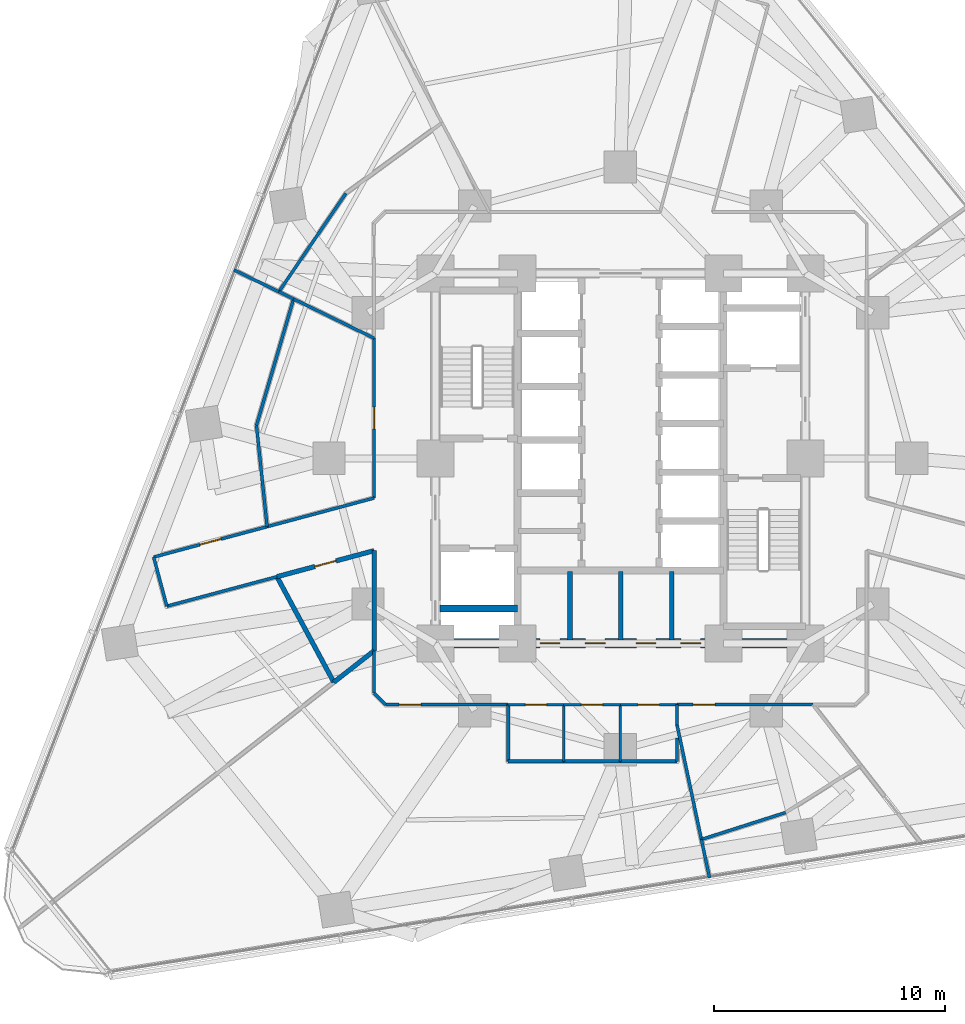
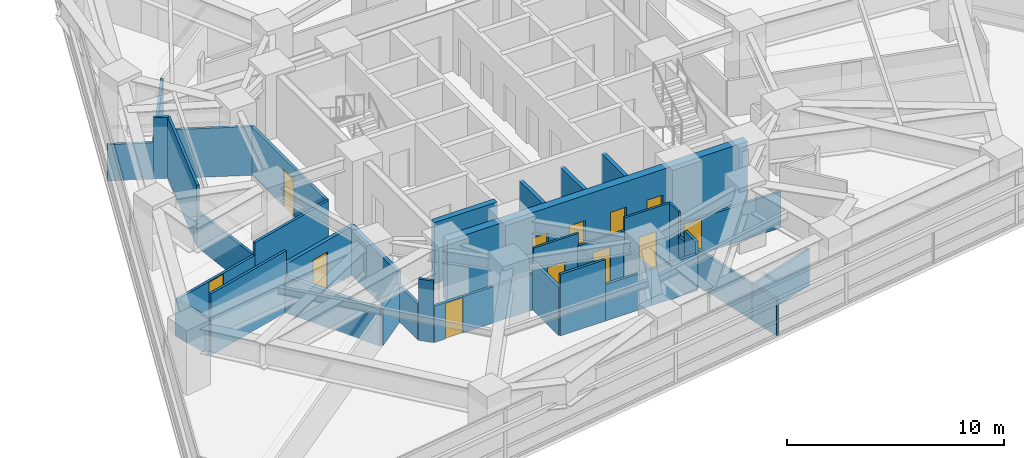
# One storey, part 7 of 13: 38 walls, 12 doors, 12 openings.
"""IFC4 building model written with IfcOpenShell, lengths in metres."""

import ifcopenshell
import ifcopenshell.guid

model = None  # the IFC model being written
_history = None  # IfcOwnerHistory: only IFC2X3 demands one
_inside = {}  # id of a spatial element -> (the spatial element, [elements in it])
_under = {}  # id of a project, library or spatial element -> (it, [spatial elements below it])
_declared = {}  # id of a project -> (the project, [libraries it declares])
_typed = {}  # id of a type object -> (the type object, [elements of that type])
_made_of = {}  # id of a material, layer set ... -> (it, [elements and type objects made of it])


def new_model(schema):
    """Start an empty IFC model of exactly this schema.

    Asked for "IFC4X3", IfcOpenShell would pick the latest addendum, in which some entities
    have other attributes; the version numbers below select the first issue.
    IFC2X3 requires an IfcOwnerHistory on every rooted entity: one is made here for all.
    """
    global model, _history
    if schema == "IFC4X3":
        model = ifcopenshell.file(schema_version=(4, 3, 0, 0))
    else:
        model = ifcopenshell.file(schema=schema)
    _inside.clear()
    _under.clear()
    _declared.clear()
    _typed.clear()
    _made_of.clear()
    _history = None
    if model.schema == "IFC2X3":
        org = make("IfcOrganization", Name="unknown")
        user = make(
            "IfcPersonAndOrganization",
            ThePerson=make("IfcPerson", FamilyName="unknown"),
            TheOrganization=org,
        )
        app = make(
            "IfcApplication",
            ApplicationDeveloper=org,
            Version="unknown",
            ApplicationFullName="unknown",
            ApplicationIdentifier="unknown",
        )
        _history = make(
            "IfcOwnerHistory",
            OwningUser=user,
            OwningApplication=app,
            ChangeAction="ADDED",
            CreationDate=0,
        )
    return model


def make(cls, **values):
    """One entity of the class cls with the attributes given. An attribute that is None is left unset."""
    return model.create_entity(
        cls, **{name: value for name, value in values.items() if value is not None}
    )


def rooted(cls, **values):
    """An entity with a GlobalId (a new one), such as an element, a storey or a relation."""
    return make(cls, GlobalId=ifcopenshell.guid.new(), OwnerHistory=_history, **values)


def si_unit(unit_type, name, prefix=None):
    """IfcSIUnit, for example si_unit("LENGTHUNIT", "METRE", prefix="MILLI")."""
    return make("IfcSIUnit", UnitType=unit_type, Prefix=prefix, Name=name)


def assignment(units):
    """IfcUnitAssignment: the units of a project."""
    return None if units is None else make("IfcUnitAssignment", Units=units)


def point(xyz):
    """IfcCartesianPoint."""
    return None if xyz is None else make("IfcCartesianPoint", Coordinates=xyz)


def direction(xyz):
    """IfcDirection."""
    return None if xyz is None else make("IfcDirection", DirectionRatios=xyz)


def frame(location, z_axis=None, x_axis=None):
    """IfcAxis2Placement3D, a coordinate frame: its origin and axes. An axis left out is left unset."""
    return make(
        "IfcAxis2Placement3D",
        Location=point(location),
        Axis=direction(z_axis),
        RefDirection=direction(x_axis),
    )


def frame_2d(location, x_axis=None):
    """IfcAxis2Placement2D, a coordinate frame in the plane: its origin and x axis."""
    return make(
        "IfcAxis2Placement2D", Location=point(location), RefDirection=direction(x_axis)
    )


def origin():
    """The frame at (0, 0, 0) with its axes left unset."""
    return frame((0.0, 0.0, 0.0))


def place(relative_to, where):
    """IfcLocalPlacement: puts the frame where relative to a parent placement (None: the world)."""
    return make(
        "IfcLocalPlacement", PlacementRelTo=relative_to, RelativePlacement=where
    )


def context(
    kind, dimensions, precision=None, world=None, true_north=None, identifier=None
):
    """IfcGeometricRepresentationContext, for example the 3D "Model" context."""
    return make(
        "IfcGeometricRepresentationContext",
        ContextIdentifier=identifier,
        ContextType=kind,
        CoordinateSpaceDimension=dimensions,
        Precision=precision,
        WorldCoordinateSystem=world,
        TrueNorth=true_north,
    )


def subcontext(parent, identifier, kind, view, scale=None):
    """IfcGeometricRepresentationSubContext, for example "Body" below "Model"."""
    return make(
        "IfcGeometricRepresentationSubContext",
        ContextIdentifier=identifier,
        ContextType=kind,
        ParentContext=parent,
        TargetScale=scale,
        TargetView=view,
    )


def project(units=None, contexts=None):
    """IfcProject with its units and contexts."""
    return rooted(
        "IfcProject",
        Name="project",
        RepresentationContexts=contexts,
        UnitsInContext=assignment(units),
    )


def spatial(cls, under=None, at=None, **own):
    """A site, building, storey or space (cls), placed at a placement, below another one or the project."""
    s = rooted(cls, ObjectPlacement=at, **own)
    if under is not None:
        _under.setdefault(under.id(), (under, []))[1].append(s)
    return s


def profile(cls, at=None, kind="AREA", **sizes):
    """A parametric profile (cls). Its sizes go by their IFC names, for example OverallWidth=200.0."""
    return make(cls, ProfileType=kind, Position=at, **sizes)


def rectangle(**sizes):
    """IfcRectangleProfileDef."""
    return profile("IfcRectangleProfileDef", **sizes)


def extrude(swept, where, along, depth):
    """IfcExtrudedAreaSolid: the profile swept, set in the frame where, extruded along a direction by depth."""
    return make(
        "IfcExtrudedAreaSolid",
        SweptArea=swept,
        Position=where,
        ExtrudedDirection=direction(along),
        Depth=depth,
    )


def shape(context_of_items, identifier, shape_type, items):
    """IfcShapeRepresentation: the items that make up one representation, for example the "Body"."""
    return make(
        "IfcShapeRepresentation",
        ContextOfItems=context_of_items,
        RepresentationIdentifier=identifier,
        RepresentationType=shape_type,
        Items=items,
    )


def material(Name=None, Category=None):
    """IfcMaterial."""
    return make("IfcMaterial", Name=Name, Category=Category)


def layer(
    of_material, thickness, ventilated=None, Name=None, Category=None, Priority=None
):
    """IfcMaterialLayer: one layer of a wall or slab, of a material (None: an air gap)."""
    return make(
        "IfcMaterialLayer",
        Material=of_material,
        LayerThickness=thickness,
        IsVentilated=ventilated,
        Name=Name,
        Category=Category,
        Priority=Priority,
    )


def layer_set(layers, Name=None):
    """IfcMaterialLayerSet."""
    return make("IfcMaterialLayerSet", MaterialLayers=layers, LayerSetName=Name)


def made_of(thing, what):
    """Note that an element or type object is made of a material, layer set ...; save() writes the relation."""
    if what is not None:
        _made_of.setdefault(what.id(), (what, []))[1].append(thing)
    return thing


def type_object(cls, material=None, **own):
    """A type object (cls), such as IfcWallType, which elements share."""
    return made_of(rooted(cls, **own), material)


def element(
    cls,
    number,
    at=None,
    inside=None,
    cuts=None,
    type_object=None,
    material=None,
    context=None,
    identifier="Body",
    shape_type=None,
    held_by="IfcProductDefinitionShape",
    body=None,
    shapes=None,
    **own,
):
    """One element of the class cls, such as IfcWall. Its Tag is "e" and its number.

    at: its placement. inside: the storey or other place that contains it. cuts: it is an
    opening in that element (IfcRelVoidsElement). A single representation is given by context,
    identifier, shape_type and body (its items); several are given by shapes. held_by: the class
    of the entity that holds the representations. save() writes the other relations.
    """
    e = rooted(cls, Tag="e%d" % number, ObjectPlacement=at, **own)
    if body is not None:
        shapes = [shape(context, identifier, shape_type, body)]
    if shapes is not None:
        e.Representation = make(held_by, Representations=shapes)
    if inside is not None:
        _inside.setdefault(inside.id(), (inside, []))[1].append(e)
    if cuts is not None:
        rooted(
            "IfcRelVoidsElement", RelatingBuildingElement=cuts, RelatedOpeningElement=e
        )
    if type_object is not None:
        _typed.setdefault(type_object.id(), (type_object, []))[1].append(e)
    return made_of(e, material)


def fill(opening, filler):
    """IfcRelFillsElement: the door or window that sits in an opening."""
    return rooted(
        "IfcRelFillsElement",
        RelatingOpeningElement=opening,
        RelatedBuildingElement=filler,
    )


def aggregate(whole, parts):
    """IfcRelAggregates: a whole, such as a stair, and the parts it consists of."""
    return rooted("IfcRelAggregates", RelatingObject=whole, RelatedObjects=parts)


def save(model, path):
    """Write the relations noted so far, then the file.

    IfcRelAggregates (storeys below a building ...), IfcRelContainedInSpatialStructure (elements
    in a storey), IfcRelDefinesByType, IfcRelAssociatesMaterial and IfcRelDeclares: one each for
    every whole, place, type object, material and project.
    """
    for whole, parts in _under.values():
        aggregate(whole, parts)
    for where, things in _inside.values():
        rooted(
            "IfcRelContainedInSpatialStructure",
            RelatedElements=things,
            RelatingStructure=where,
        )
    for kind, things in _typed.values():
        rooted("IfcRelDefinesByType", RelatedObjects=things, RelatingType=kind)
    for what, things in _made_of.values():
        rooted("IfcRelAssociatesMaterial", RelatedObjects=things, RelatingMaterial=what)
    for by, libraries in _declared.values():
        rooted("IfcRelDeclares", RelatingContext=by, RelatedDefinitions=libraries)
    model.write(path)


model = new_model("IFC4")

# Units and contexts
model_context = context("Model", 3, precision=1e-05, world=origin(), true_north=direction((0.0, 1.0)))
body_context = subcontext(model_context, "Body", "Model", "MODEL_VIEW")
ifc_project = project(units=[si_unit("LENGTHUNIT", "METRE"), si_unit("AREAUNIT", "SQUARE_METRE"), si_unit("VOLUMEUNIT", "CUBIC_METRE"), si_unit("PLANEANGLEUNIT", "RADIAN"), si_unit("MASSUNIT", "GRAM", prefix="KILO")], contexts=[model_context])

# Site, building, storey
site_placement = place(None, origin())
site = spatial("IfcSite", under=ifc_project, at=site_placement, CompositionType="ELEMENT")
building_placement = place(site_placement, origin())
building = spatial("IfcBuilding", under=site, at=building_placement, Name="Terralouvre Media Tower", CompositionType="ELEMENT")
storey_placement = place(building_placement, frame((0.0, 0.0, 81.5)))
storey = spatial("IfcBuildingStorey", under=building, at=storey_placement, Name="L20", CompositionType="ELEMENT", Elevation=81.5)

# Wall
ifc_material_1 = material(Name="Concrete C50/60", Category="concrete")
ifc_layer_1 = layer(ifc_material_1, 0.300048828125, Name="Core Internal Shaft Wall CW-300")
ifc_layer_set_1 = layer_set([ifc_layer_1], Name="Concrete C50/60")
wall_type_1 = type_object("IfcWallType", Name="Core Internal Shaft Wall CW-300", PredefinedType="SHEAR", material=ifc_layer_set_1)
wall_1_placement = place(storey_placement, frame((-7.7900390625, -6.5, 0.0), z_axis=(0.0, 0.0, 1.0), x_axis=(1.0, 0.0, 0.0)))
element("IfcWall", 1, at=wall_1_placement, inside=storey, type_object=wall_type_1, Name="L20 Core Shaft Wall FF1S", PredefinedType="SHEAR", context=body_context, shape_type="SweptSolid", body=[
    extrude(rectangle(XDim=3.340087890625, YDim=0.300048828125, at=frame_2d((1.669921875, 0.0))), origin(), (0.0, 0.0, 1.0), 3.4599609375),
])

# Wall, openings, doors
ifc_material_2 = material(Name="Concrete C60/75", Category="concrete")
ifc_layer_2 = layer(ifc_material_2, 0.419921875, Name="Core Reinforced Concrete Shear Wall CW-420")
ifc_layer_set_2 = layer_set([ifc_layer_2], Name="Concrete C60/75")
wall_type_2 = type_object("IfcWallType", Name="Core Reinforced Concrete Shear Wall CW-420", PredefinedType="SHEAR", material=ifc_layer_set_2)
wall_2_placement = place(storey_placement, frame((-8.0, -8.0, 0.0), z_axis=(0.0, 0.0, 1.0), x_axis=(1.0, 0.0, 0.0)))
wall_2 = element("IfcWall", 2, at=wall_2_placement, inside=storey, type_object=wall_type_2, Name="L20 S Core Shear Wall", PredefinedType="SHEAR", context=body_context, shape_type="SweptSolid", body=[
    extrude(rectangle(XDim=16.0, YDim=0.419921875, at=frame_2d((8.0, 0.0))), origin(), (0.0, 0.0, 1.0), 3.4599609375),
])
opening_1_placement = place(wall_2_placement, frame((4.52880859375, 0.0, 0.0)))
opening_1 = element("IfcOpeningElement", 3, at=opening_1_placement, cuts=wall_2, Name="Opening TD-R1", PredefinedType="OPENING", context=body_context, shape_type="SweptSolid", body=[
    extrude(rectangle(XDim=0.85009765625, YDim=2.02001953125, at=frame_2d((0.425048828125, 1.010009765625))), frame((0.0, 0.219970703125, 0.0), z_axis=(0.0, -1.0, 0.0), x_axis=(1.0, 0.0, 0.0)), (0.0, 0.0, 1.0), 0.43994140625),
])
opening_2_placement = place(wall_2_placement, frame((6.489990234375, 0.0, 0.0)))
opening_2 = element("IfcOpeningElement", 4, at=opening_2_placement, cuts=wall_2, Name="Opening TD-R1", PredefinedType="OPENING", context=body_context, shape_type="SweptSolid", body=[
    extrude(rectangle(XDim=0.85009765625, YDim=2.02001953125, at=frame_2d((0.425048828125, 1.010009765625))), frame((0.0, 0.219970703125, 0.0), z_axis=(0.0, -1.0, 0.0), x_axis=(1.0, 0.0, 0.0)), (0.0, 0.0, 1.0), 0.43994140625),
])
opening_3_placement = place(wall_2_placement, frame((8.68994140625, 0.0, 0.0)))
opening_3 = element("IfcOpeningElement", 5, at=opening_3_placement, cuts=wall_2, Name="Opening TD-R1", PredefinedType="OPENING", context=body_context, shape_type="SweptSolid", body=[
    extrude(rectangle(XDim=0.85009765625, YDim=2.02001953125, at=frame_2d((0.425048828125, 1.010009765625))), frame((0.0, 0.219970703125, 0.0), z_axis=(0.0, -1.0, 0.0), x_axis=(1.0, 0.0, 0.0)), (0.0, 0.0, 1.0), 0.43994140625),
])
opening_4_placement = place(wall_2_placement, frame((10.62109375, 0.0, 0.0)))
opening_4 = element("IfcOpeningElement", 6, at=opening_4_placement, cuts=wall_2, Name="Opening TD-R1", PredefinedType="OPENING", context=body_context, shape_type="SweptSolid", body=[
    extrude(rectangle(XDim=0.85009765625, YDim=2.02001953125, at=frame_2d((0.425048828125, 1.010009765625))), frame((0.0, 0.219970703125, 0.0), z_axis=(0.0, -1.0, 0.0), x_axis=(1.0, 0.0, 0.0)), (0.0, 0.0, 1.0), 0.43994140625),
])
ifc_material_3 = material(Name="Galvanised steel fire-resisting leaf", Category="steel")
door_type_1 = type_object("IfcDoorType", Name="Riser Inspection Access Trapdoor TD-R1", OperationType="NOTDEFINED", PredefinedType="TRAPDOOR", material=ifc_material_3)
door_1_placement = place(opening_1_placement, origin())
door_1 = element("IfcDoor", 7, at=door_1_placement, inside=storey, type_object=door_type_1, Name="L20 Core Battery Plant Door", OperationType="SINGLE_SWING_LEFT", OverallHeight=2.02001953125, OverallWidth=0.85009765625, PredefinedType="TRAPDOOR", context=body_context, shape_type="SweptSolid", body=[
    extrude(rectangle(XDim=0.85009765625, YDim=2.02001953125, at=frame_2d((0.425048828125, 1.010009765625))), frame((0.0, 0.02490234375, 0.0), z_axis=(0.0, -1.0, 0.0), x_axis=(1.0, 0.0, 0.0)), (0.0, 0.0, 1.0), 0.050048828125),
])
fill(opening_1, door_1)
door_2_placement = place(opening_2_placement, origin())
door_2 = element("IfcDoor", 8, at=door_2_placement, inside=storey, type_object=door_type_1, Name="L20 Core IT Patch Plant Door", OperationType="SINGLE_SWING_RIGHT", OverallHeight=2.02001953125, OverallWidth=0.85009765625, PredefinedType="TRAPDOOR", context=body_context, shape_type="SweptSolid", body=[
    extrude(rectangle(XDim=0.85009765625, YDim=2.02001953125, at=frame_2d((0.425048828125, 1.010009765625))), frame((0.0, 0.02490234375, 0.0), z_axis=(0.0, -1.0, 0.0), x_axis=(1.0, 0.0, 0.0)), (0.0, 0.0, 1.0), 0.050048828125),
])
fill(opening_2, door_2)
door_3_placement = place(opening_3_placement, origin())
door_3 = element("IfcDoor", 9, at=door_3_placement, inside=storey, type_object=door_type_1, Name="L20 Core Housekeeping Store Door", OperationType="SINGLE_SWING_LEFT", OverallHeight=2.02001953125, OverallWidth=0.85009765625, PredefinedType="TRAPDOOR", context=body_context, shape_type="SweptSolid", body=[
    extrude(rectangle(XDim=0.85009765625, YDim=2.02001953125, at=frame_2d((0.425048828125, 1.010009765625))), frame((0.0, 0.02490234375, 0.0), z_axis=(0.0, -1.0, 0.0), x_axis=(1.0, 0.0, 0.0)), (0.0, 0.0, 1.0), 0.050048828125),
])
fill(opening_3, door_3)
door_4_placement = place(opening_4_placement, origin())
door_4 = element("IfcDoor", 10, at=door_4_placement, inside=storey, type_object=door_type_1, Name="L20 Core Smoke Damper Plant Door", OperationType="SINGLE_SWING_RIGHT", OverallHeight=2.02001953125, OverallWidth=0.85009765625, PredefinedType="TRAPDOOR", context=body_context, shape_type="SweptSolid", body=[
    extrude(rectangle(XDim=0.85009765625, YDim=2.02001953125, at=frame_2d((0.425048828125, 1.010009765625))), frame((0.0, 0.02490234375, 0.0), z_axis=(0.0, -1.0, 0.0), x_axis=(1.0, 0.0, 0.0)), (0.0, 0.0, 1.0), 0.050048828125),
])
fill(opening_4, door_4)

# Walls
ifc_material_4 = material(Name="Fire-rated gypsum board drywall partition")
ifc_layer_3 = layer(ifc_material_4, 0.199951171875, Name="Fire-Rated Shaft and Lobby Partition FW-200")
ifc_layer_set_3 = layer_set([ifc_layer_3], Name="Fire-rated gypsum board drywall partition")
wall_type_3 = type_object("IfcWallType", Name="Fire-Rated Shaft and Lobby Partition FW-200", PredefinedType="SOLIDWALL", material=ifc_layer_set_3)
for number, where, z_axis, x_axis, name in (
    (11, (-2.179931640625, -7.85009765625, 0.0), (0.0, 0.0, 1.0), (0.0, 1.0, 0.0), "L20 Core Service Bay Partition 1"),
    (12, (0.02001953125, -7.85009765625, 0.0), (0.0, 0.0, 1.0), (0.0, 1.0, 0.0), "L20 Core Service Bay Partition 2"),
    (13, (2.219970703125, -7.85009765625, 0.0), (0.0, 0.0, 1.0), (0.0, 1.0, 0.0), "L20 Core Service Bay Partition 3"),
):
    element("IfcWall", number, at=place(storey_placement, frame(where, z_axis=z_axis, x_axis=x_axis)), inside=storey, type_object=wall_type_3, Name=name, PredefinedType="SOLIDWALL", context=body_context, shape_type="SweptSolid", body=[
        extrude(rectangle(XDim=2.9501953125, YDim=0.199951171875, at=frame_2d((1.47509765625, 0.0))), origin(), (0.0, 0.0, 1.0), 2.844970703125),
    ])

# Wall, opening, door
wall_3_placement = place(storey_placement, frame((-14.85107421875, -5.117919921875, 0.0), z_axis=(0.0, 0.0, 1.0), x_axis=(0.965909963178, 0.258878239783, 0.0)))
wall_3 = element("IfcWall", 14, at=wall_3_placement, inside=storey, type_object=wall_type_3, Name="L20 Interior Partition 015", PredefinedType="SOLIDWALL", context=body_context, shape_type="SweptSolid", body=[
    extrude(rectangle(XDim=4.349365234375, YDim=0.199951171875, at=frame_2d((2.1748046875, 0.0))), origin(), (0.0, 0.0, 1.0), 2.7451171875),
])
opening_5_placement = place(wall_3_placement, frame((1.69970703125, 0.0, 0.0)))
opening_5 = element("IfcOpeningElement", 15, at=opening_5_placement, cuts=wall_3, Name="Opening FD-02-95X210", PredefinedType="OPENING", context=body_context, shape_type="SweptSolid", body=[
    extrude(rectangle(XDim=0.949951171875, YDim=2.10009765625, at=frame_2d((0.47509765625, 1.050048828125))), frame((0.0, 0.10986328125, 0.0), z_axis=(0.0, -1.0, 0.0), x_axis=(1.0, 0.0, 0.0)), (0.0, 0.0, 1.0), 0.219970703125),
])
ifc_material_5 = material(Name="Galvanised steel fire-resisting leaf", Category="steel")
door_type_2 = type_object("IfcDoorType", Name="Plant and Riser Fire Door FD-02 (950x2100)", OperationType="NOTDEFINED", PredefinedType="DOOR", material=ifc_material_5)
door_5_placement = place(opening_5_placement, origin())
door_5 = element("IfcDoor", 16, at=door_5_placement, inside=storey, type_object=door_type_2, Name="L20 Satellite Downlink Server Room 3 Door", OperationType="SINGLE_SWING_RIGHT", OverallHeight=2.10009765625, OverallWidth=0.949951171875, PredefinedType="DOOR", context=body_context, shape_type="SweptSolid", body=[
    extrude(rectangle(XDim=0.949951171875, YDim=2.10009765625, at=frame_2d((0.47509765625, 1.050048828125))), frame((0.0, 0.02490234375, 0.0), z_axis=(0.0, -1.0, 0.0), x_axis=(1.0, 0.0, 0.0)), (0.0, 0.0, 1.0), 0.050048828125),
])
fill(opening_5, door_5)

# Walls
wall_4_placement = place(storey_placement, frame((-10.64990234375, -3.991943359375, 0.0), z_axis=(0.0, 0.0, 1.0), x_axis=(0.0, -1.0, 0.0)))
element("IfcWall", 17, at=wall_4_placement, inside=storey, type_object=wall_type_3, Name="L20 Interior Partition 016", PredefinedType="SOLIDWALL", context=body_context, shape_type="SweptSolid", body=[
    extrude(rectangle(XDim=4.3291015625, YDim=0.199951171875, at=frame_2d((2.16455078125, 0.0))), origin(), (0.0, 0.0, 1.0), 2.7451171875),
])
wall_5_placement = place(storey_placement, frame((-14.85107421875, -5.117919921875, 0.0), z_axis=(0.0, 0.0, 1.0), x_axis=(0.474543506137, -0.880232049395, 0.0)))
element("IfcWall", 18, at=wall_5_placement, inside=storey, type_object=wall_type_3, Name="L20 Interior Partition 037", PredefinedType="SOLIDWALL", context=body_context, shape_type="SweptSolid", body=[
    extrude(rectangle(XDim=5.183837890625, YDim=0.199951171875, at=frame_2d((2.591796875, 0.0))), origin(), (0.0, 0.0, 1.0), 2.044921875),
])
wall_6_placement = place(storey_placement, frame((-12.39111328125, -9.680908203125, 0.0), z_axis=(0.0, 0.0, 1.0), x_axis=(0.788124883644, 0.615515367624, 0.0)))
element("IfcWall", 19, at=wall_6_placement, inside=storey, type_object=wall_type_3, Name="L20 Interior Partition 038", PredefinedType="SOLIDWALL", context=body_context, shape_type="SweptSolid", body=[
    extrude(rectangle(XDim=2.209228515625, YDim=0.199951171875, at=frame_2d((1.1044921875, 0.0))), origin(), (0.0, 0.0, 1.0), 2.044921875),
])

# Wall, opening, door
ifc_material_6 = material(Name="Fire-rated gypsum board drywall partition")
ifc_layer_4 = layer(ifc_material_6, 0.135009765625, Name="Newsroom Acoustic Partition PT-135")
ifc_layer_set_4 = layer_set([ifc_layer_4], Name="Fire-rated gypsum board drywall partition")
wall_type_4 = type_object("IfcWallType", Name="Newsroom Acoustic Partition PT-135", PredefinedType="PARTITIONING", material=ifc_layer_set_4)
wall_7_placement = place(storey_placement, frame((-15.27587890625, -2.9541015625, 0.0), z_axis=(0.0, 0.0, 1.0), x_axis=(-0.965923168362, -0.258828964418, 0.0)))
wall_7 = element("IfcWall", 20, at=wall_7_placement, inside=storey, type_object=wall_type_4, Name="L20 Interior Partition 017", PredefinedType="PARTITIONING", context=body_context, shape_type="SweptSolid", body=[
    extrude(rectangle(XDim=5.080322265625, YDim=0.135009765625, at=frame_2d((2.5400390625, 0.0))), origin(), (0.0, 0.0, 1.0), 2.044921875),
])
opening_6_placement = place(wall_7_placement, frame((2.065185546875, 0.0, 0.0)))
opening_6 = element("IfcOpeningElement", 21, at=opening_6_placement, cuts=wall_7, Name="Opening ID-02", PredefinedType="OPENING", context=body_context, shape_type="SweptSolid", body=[
    extrude(rectangle(XDim=0.949951171875, YDim=2.0, at=frame_2d((0.47509765625, 1.0))), frame((0.0, 0.077392578125, 0.0), z_axis=(0.0, -1.0, 0.0), x_axis=(1.0, 0.0, 0.0)), (0.0, 0.0, 1.0), 0.155029296875),
])
ifc_material_7 = material(Name="Engineered hardwood acoustic timber leaf", Category="wood")
door_type_3 = type_object("IfcDoorType", Name="Office and Meeting Room Door ID-02", OperationType="NOTDEFINED", PredefinedType="DOOR", material=ifc_material_7)
door_6_placement = place(opening_6_placement, origin())
door_6 = element("IfcDoor", 22, at=door_6_placement, inside=storey, type_object=door_type_3, Name="L20 Treaty Reference Library 4 Door", OperationType="SINGLE_SWING_LEFT", OverallHeight=2.0, OverallWidth=0.949951171875, PredefinedType="DOOR", context=body_context, shape_type="SweptSolid", body=[
    extrude(rectangle(XDim=0.949951171875, YDim=2.0, at=frame_2d((0.47509765625, 1.0))), frame((0.0, 0.02490234375, 0.0), z_axis=(0.0, -1.0, 0.0), x_axis=(1.0, 0.0, 0.0)), (0.0, 0.0, 1.0), 0.050048828125),
])
fill(opening_6, door_6)

# Walls
wall_8_placement = place(storey_placement, frame((-20.18310546875, -4.26904296875, 0.0), z_axis=(0.0, 0.0, 1.0), x_axis=(0.259105843213, -0.965848933329, 0.0)))
element("IfcWall", 23, at=wall_8_placement, inside=storey, type_object=wall_type_4, Name="L20 Interior Partition 018", PredefinedType="PARTITIONING", context=body_context, shape_type="SweptSolid", body=[
    extrude(rectangle(XDim=2.2001953125, YDim=0.135009765625, at=frame_2d((1.10009765625, 0.0))), origin(), (0.0, 0.0, 1.0), 2.044921875),
])
wall_9_placement = place(storey_placement, frame((-19.613037109375, -6.39404296875, 0.0), z_axis=(0.0, 0.0, 1.0), x_axis=(0.965917766169, 0.258849124007, 0.0)))
element("IfcWall", 24, at=wall_9_placement, inside=storey, type_object=wall_type_4, Name="L20 Interior Partition 019", PredefinedType="PARTITIONING", context=body_context, shape_type="SweptSolid", body=[
    extrude(rectangle(XDim=4.929931640625, YDim=0.135009765625, at=frame_2d((2.46484375, 0.0))), origin(), (0.0, 0.0, 1.0), 3.4599609375),
])

# Wall, opening, door
wall_10_placement = place(storey_placement, frame((-10.64990234375, 5.194091796875, 0.0), z_axis=(0.0, 0.0, 1.0), x_axis=(0.0, -1.0, 0.0)))
wall_10 = element("IfcWall", 25, at=wall_10_placement, inside=storey, type_object=wall_type_4, Name="L20 Interior Partition 020", PredefinedType="PARTITIONING", context=body_context, shape_type="SweptSolid", body=[
    extrude(rectangle(XDim=6.9091796875, YDim=0.135009765625, at=frame_2d((3.45458984375, 0.0))), origin(), (0.0, 0.0, 1.0), 2.7451171875),
])
opening_7_placement = place(wall_10_placement, frame((2.9794921875, 0.0, 0.0)))
opening_7 = element("IfcOpeningElement", 26, at=opening_7_placement, cuts=wall_10, Name="Opening ID-02-95X210", PredefinedType="OPENING", context=body_context, shape_type="SweptSolid", body=[
    extrude(rectangle(XDim=0.949951171875, YDim=2.10009765625, at=frame_2d((0.47509765625, 1.050048828125))), frame((0.0, 0.077392578125, 0.0), z_axis=(0.0, -1.0, 0.0), x_axis=(1.0, 0.0, 0.0)), (0.0, 0.0, 1.0), 0.155029296875),
])
ifc_material_8 = material(Name="Engineered hardwood acoustic timber leaf", Category="wood")
door_type_4 = type_object("IfcDoorType", Name="Office and Meeting Room Door ID-02 (950x2100)", OperationType="NOTDEFINED", PredefinedType="DOOR", material=ifc_material_8)
door_7_placement = place(opening_7_placement, origin())
door_7 = element("IfcDoor", 27, at=door_7_placement, inside=storey, type_object=door_type_4, Name="L20 Editorial Collaborative Open Office 5 Door", OperationType="SINGLE_SWING_RIGHT", OverallHeight=2.10009765625, OverallWidth=0.949951171875, PredefinedType="DOOR", context=body_context, shape_type="SweptSolid", body=[
    extrude(rectangle(XDim=0.949951171875, YDim=2.10009765625, at=frame_2d((0.47509765625, 1.050048828125))), frame((0.0, 0.02490234375, 0.0), z_axis=(0.0, -1.0, 0.0), x_axis=(1.0, 0.0, 0.0)), (0.0, 0.0, 1.0), 0.050048828125),
])
fill(opening_7, door_7)

# Walls
wall_11_placement = place(storey_placement, frame((-10.64990234375, -1.715087890625, 0.0), z_axis=(0.0, 0.0, 1.0), x_axis=(-0.965952601708, -0.258719097196, 0.0)))
element("IfcWall", 28, at=wall_11_placement, inside=storey, type_object=wall_type_4, Name="L20 Interior Partition 021", PredefinedType="PARTITIONING", context=body_context, shape_type="SweptSolid", body=[
    extrude(rectangle(XDim=4.7890625, YDim=0.135009765625, at=frame_2d((2.39453125, 0.0))), origin(), (0.0, 0.0, 1.0), 2.7451171875),
])
wall_12_placement = place(storey_placement, frame((-10.64990234375, -8.321044921875, 0.0), z_axis=(0.0, 0.0, 1.0), x_axis=(0.0, -1.0, 0.0)))
element("IfcWall", 29, at=wall_12_placement, inside=storey, type_object=wall_type_4, Name="L20 Interior Partition 022", PredefinedType="PARTITIONING", context=body_context, shape_type="SweptSolid", body=[
    extrude(rectangle(XDim=1.828857421875, YDim=0.135009765625, at=frame_2d((0.91455078125, 0.0))), origin(), (0.0, 0.0, 1.0), 2.044921875),
])
wall_13_placement = place(storey_placement, frame((-10.64990234375, -10.14990234375, 0.0), z_axis=(0.0, 0.0, 1.0), x_axis=(0.707106781187, -0.707106781187, 0.0)))
element("IfcWall", 30, at=wall_13_placement, inside=storey, type_object=wall_type_4, Name="L20 Interior Partition 023", PredefinedType="PARTITIONING", context=body_context, shape_type="SweptSolid", body=[
    extrude(rectangle(XDim=0.70703125, YDim=0.135009765625, at=frame_2d((0.353515625, 0.0))), origin(), (0.0, 0.0, 1.0), 3.4599609375),
])

# Wall, opening, door
wall_14_placement = place(storey_placement, frame((-10.14990234375, -10.64990234375, 0.0), z_axis=(0.0, 0.0, 1.0), x_axis=(1.0, 0.0, 0.0)))
wall_14 = element("IfcWall", 31, at=wall_14_placement, inside=storey, type_object=wall_type_4, Name="L20 Interior Partition 024", PredefinedType="PARTITIONING", context=body_context, shape_type="SweptSolid", body=[
    extrude(rectangle(XDim=5.2998046875, YDim=0.135009765625, at=frame_2d((2.64990234375, 0.0))), origin(), (0.0, 0.0, 1.0), 2.044921875),
])
opening_8_placement = place(wall_14_placement, frame((0.5849609375, 0.0, 0.0)))
opening_8 = element("IfcOpeningElement", 32, at=opening_8_placement, cuts=wall_14, Name="Opening ID-02", PredefinedType="OPENING", context=body_context, shape_type="SweptSolid", body=[
    extrude(rectangle(XDim=0.949951171875, YDim=2.0, at=frame_2d((0.47509765625, 1.0))), frame((0.0, 0.077392578125, 0.0), z_axis=(0.0, -1.0, 0.0), x_axis=(1.0, 0.0, 0.0)), (0.0, 0.0, 1.0), 0.155029296875),
])
door_8_placement = place(opening_8_placement, origin())
door_8 = element("IfcDoor", 33, at=door_8_placement, inside=storey, type_object=door_type_3, Name="L20 Press Dispatch Post Room 6 Door", OperationType="SINGLE_SWING_LEFT", OverallHeight=2.0, OverallWidth=0.949951171875, PredefinedType="DOOR", context=body_context, shape_type="SweptSolid", body=[
    extrude(rectangle(XDim=0.949951171875, YDim=2.0, at=frame_2d((0.47509765625, 1.0))), frame((0.0, 0.02490234375, 0.0), z_axis=(0.0, -1.0, 0.0), x_axis=(1.0, 0.0, 0.0)), (0.0, 0.0, 1.0), 0.050048828125),
])
fill(opening_8, door_8)

wall_15_placement = place(storey_placement, frame((2.449951171875, -10.64990234375, 0.0), z_axis=(0.0, 0.0, 1.0), x_axis=(1.0, 0.0, 0.0)))
wall_15 = element("IfcWall", 34, at=wall_15_placement, inside=storey, type_object=wall_type_4, Name="L20 Interior Partition 028", PredefinedType="PARTITIONING", context=body_context, shape_type="SweptSolid", body=[
    extrude(rectangle(XDim=5.87109375, YDim=0.135009765625, at=frame_2d((2.935546875, 0.0))), origin(), (0.0, 0.0, 1.0), 2.044921875),
])
opening_9_placement = place(wall_15_placement, frame((0.69921875, 0.0, 0.0)))
opening_9 = element("IfcOpeningElement", 35, at=opening_9_placement, cuts=wall_15, Name="Opening ID-02", PredefinedType="OPENING", context=body_context, shape_type="SweptSolid", body=[
    extrude(rectangle(XDim=0.949951171875, YDim=2.0, at=frame_2d((0.47509765625, 1.0))), frame((0.0, 0.077392578125, 0.0), z_axis=(0.0, -1.0, 0.0), x_axis=(1.0, 0.0, 0.0)), (0.0, 0.0, 1.0), 0.155029296875),
])
door_9_placement = place(opening_9_placement, origin())
door_9 = element("IfcDoor", 36, at=door_9_placement, inside=storey, type_object=door_type_3, Name="L20 Archival Microfilm Storage 7 Door", OperationType="SINGLE_SWING_LEFT", OverallHeight=2.0, OverallWidth=0.949951171875, PredefinedType="DOOR", context=body_context, shape_type="SweptSolid", body=[
    extrude(rectangle(XDim=0.949951171875, YDim=2.0, at=frame_2d((0.47509765625, 1.0))), frame((0.0, 0.02490234375, 0.0), z_axis=(0.0, -1.0, 0.0), x_axis=(1.0, 0.0, 0.0)), (0.0, 0.0, 1.0), 0.050048828125),
])
fill(opening_9, door_9)

# Walls
wall_16_placement = place(storey_placement, frame((-15.27587890625, -2.9541015625, 0.0), z_axis=(0.0, 0.0, 1.0), x_axis=(-0.104560622475, 0.994518514774, 0.0)))
element("IfcWall", 37, at=wall_16_placement, inside=storey, type_object=wall_type_4, Name="L20 Interior Partition 039", PredefinedType="PARTITIONING", context=body_context, shape_type="SweptSolid", body=[
    extrude(rectangle(XDim=4.4013671875, YDim=0.135009765625, at=frame_2d((2.20068359375, 0.0))), origin(), (0.0, 0.0, 1.0), 2.044921875),
])
wall_17_placement = place(storey_placement, frame((-15.736083984375, 1.423095703125, 0.0), z_axis=(0.0, 0.0, 1.0), x_axis=(0.281231672123, 0.959639904649, 0.0)))
element("IfcWall", 38, at=wall_17_placement, inside=storey, type_object=wall_type_4, Name="L20 Interior Partition 040", PredefinedType="PARTITIONING", context=body_context, shape_type="SweptSolid", body=[
    extrude(rectangle(XDim=5.699951171875, YDim=0.135009765625, at=frame_2d((2.85009765625, 0.0))), origin(), (0.0, 0.0, 1.0), 3.4599609375),
])
wall_18_placement = place(storey_placement, frame((-14.76904296875, 7.202880859375, 0.0), z_axis=(0.0, 0.0, 1.0), x_axis=(-0.898774971292, 0.438410254191, 0.0)))
element("IfcWall", 39, at=wall_18_placement, inside=storey, type_object=wall_type_4, Name="L20 Interior Partition 042", PredefinedType="PARTITIONING", context=body_context, shape_type="SweptSolid", body=[
    extrude(rectangle(XDim=2.1572265625, YDim=0.135009765625, at=frame_2d((1.07861328125, 0.0))), origin(), (0.0, 0.0, 1.0), 2.044921875),
])
wall_19_placement = place(storey_placement, frame((-14.133056640625, 6.89306640625, 0.0), z_axis=(0.0, 0.0, 1.0), x_axis=(-0.899003804691, 0.437940816949, 0.0)))
element("IfcWall", 40, at=wall_19_placement, inside=storey, type_object=wall_type_4, Name="L20 Interior Partition 043", PredefinedType="PARTITIONING", context=body_context, shape_type="SweptSolid", body=[
    extrude(rectangle(XDim=0.70751953125, YDim=0.135009765625, at=frame_2d((0.353759765625, 0.0))), origin(), (0.0, 0.0, 1.0), 3.4599609375),
])
wall_20_placement = place(storey_placement, frame((-10.64990234375, 5.194091796875, 0.0), z_axis=(0.0, 0.0, 1.0), x_axis=(-0.898781159743, 0.438397567159, 0.0)))
element("IfcWall", 41, at=wall_20_placement, inside=storey, type_object=wall_type_4, Name="L20 Interior Partition 044", PredefinedType="PARTITIONING", context=body_context, shape_type="SweptSolid", body=[
    extrude(rectangle(XDim=3.87548828125, YDim=0.135009765625, at=frame_2d((1.937744140625, 0.0))), origin(), (0.0, 0.0, 1.0), 2.7451171875),
])
wall_21_placement = place(storey_placement, frame((-2.449951171875, -13.10009765625, 0.0), z_axis=(0.0, 0.0, 1.0), x_axis=(-1.0, 0.0, 0.0)))
element("IfcWall", 42, at=wall_21_placement, inside=storey, type_object=wall_type_4, Name="L20 Interior Partition 045", PredefinedType="PARTITIONING", context=body_context, shape_type="SweptSolid", body=[
    extrude(rectangle(XDim=2.400146484375, YDim=0.135009765625, at=frame_2d((1.2001953125, 0.0))), origin(), (0.0, 0.0, 1.0), 3.4599609375),
])
wall_22_placement = place(storey_placement, frame((-4.85009765625, -13.10009765625, 0.0), z_axis=(0.0, 0.0, 1.0), x_axis=(0.0, 1.0, 0.0)))
element("IfcWall", 43, at=wall_22_placement, inside=storey, type_object=wall_type_4, Name="L20 Interior Partition 046", PredefinedType="PARTITIONING", context=body_context, shape_type="SweptSolid", body=[
    extrude(rectangle(XDim=2.4501953125, YDim=0.135009765625, at=frame_2d((1.22509765625, 0.0))), origin(), (0.0, 0.0, 1.0), 2.7451171875),
])
wall_23_placement = place(storey_placement, frame((0.0, -13.10009765625, 0.0), z_axis=(0.0, 0.0, 1.0), x_axis=(-1.0, 0.0, 0.0)))
element("IfcWall", 44, at=wall_23_placement, inside=storey, type_object=wall_type_4, Name="L20 Interior Partition 047", PredefinedType="PARTITIONING", context=body_context, shape_type="SweptSolid", body=[
    extrude(rectangle(XDim=2.449951171875, YDim=0.135009765625, at=frame_2d((1.22509765625, 0.0))), origin(), (0.0, 0.0, 1.0), 2.044921875),
])
wall_24_placement = place(storey_placement, frame((2.449951171875, -12.103271484375, 0.0), z_axis=(0.0, 0.0, 1.0), x_axis=(0.0, -1.0, 0.0)))
element("IfcWall", 45, at=wall_24_placement, inside=storey, type_object=wall_type_4, Name="L20 Interior Partition 048", PredefinedType="PARTITIONING", context=body_context, shape_type="SweptSolid", body=[
    extrude(rectangle(XDim=0.996826171875, YDim=0.135009765625, at=frame_2d((0.49853515625, 0.0))), origin(), (0.0, 0.0, 1.0), 2.7451171875),
])
wall_25_placement = place(storey_placement, frame((2.449951171875, -13.10009765625, 0.0), z_axis=(0.0, 0.0, 1.0), x_axis=(-1.0, 0.0, 0.0)))
element("IfcWall", 46, at=wall_25_placement, inside=storey, type_object=wall_type_4, Name="L20 Interior Partition 049", PredefinedType="PARTITIONING", context=body_context, shape_type="SweptSolid", body=[
    extrude(rectangle(XDim=2.449951171875, YDim=0.135009765625, at=frame_2d((1.22509765625, 0.0))), origin(), (0.0, 0.0, 1.0), 2.044921875),
])
wall_26_placement = place(storey_placement, frame((3.5029296875, -16.48095703125, 0.0), z_axis=(0.0, 0.0, 1.0), x_axis=(-0.207863367053, 0.97815787102, 0.0)))
element("IfcWall", 47, at=wall_26_placement, inside=storey, type_object=wall_type_4, Name="L20 Interior Partition 050", PredefinedType="PARTITIONING", context=body_context, shape_type="SweptSolid", body=[
    extrude(rectangle(XDim=5.065673828125, YDim=0.135009765625, at=frame_2d((2.53271484375, 0.0))), origin(), (0.0, 0.0, 1.0), 2.044921875),
])
wall_27_placement = place(storey_placement, frame((3.855224609375, -18.138671875, 0.0), z_axis=(0.0, 0.0, 1.0), x_axis=(-0.207875985054, 0.978155189547, 0.0)))
element("IfcWall", 48, at=wall_27_placement, inside=storey, type_object=wall_type_4, Name="L20 Interior Partition 051", PredefinedType="PARTITIONING", context=body_context, shape_type="SweptSolid", body=[
    extrude(rectangle(XDim=1.69482421875, YDim=0.135009765625, at=frame_2d((0.847412109375, 0.0))), origin(), (0.0, 0.0, 1.0), 2.044921875),
])
wall_28_placement = place(storey_placement, frame((3.5029296875, -16.48095703125, 0.0), z_axis=(0.0, 0.0, 1.0), x_axis=(0.952459752792, 0.304664437227, 0.0)))
element("IfcWall", 49, at=wall_28_placement, inside=storey, type_object=wall_type_4, Name="L20 Interior Partition 055", PredefinedType="PARTITIONING", context=body_context, shape_type="SweptSolid", body=[
    extrude(rectangle(XDim=3.82080078125, YDim=0.135009765625, at=frame_2d((1.910400390625, 0.0))), origin(), (0.0, 0.0, 1.0), 2.044921875),
])
wall_29_placement = place(storey_placement, frame((-14.76904296875, 7.202880859375, 0.0), z_axis=(0.0, 0.0, 1.0), x_axis=(0.562841259026, 0.826565010836, 0.0)))
element("IfcWall", 50, at=wall_29_placement, inside=storey, type_object=wall_type_4, Name="L20 Interior Partition 057", PredefinedType="PARTITIONING", context=body_context, shape_type="SweptSolid", body=[
    extrude(rectangle(XDim=5.152587890625, YDim=0.135009765625, at=frame_2d((2.576171875, 0.0))), origin(), (0.0, 0.0, 1.0), 2.044921875),
])

# Wall, opening, door
ifc_material_9 = material(Name="Fire-rated gypsum board drywall partition")
ifc_layer_5 = layer(ifc_material_9, 0.114990234375, Name="Restroom and Pantry Partition PT-115")
ifc_layer_set_5 = layer_set([ifc_layer_5], Name="Fire-rated gypsum board drywall partition")
wall_type_5 = type_object("IfcWallType", Name="Restroom and Pantry Partition PT-115", PredefinedType="PARTITIONING", material=ifc_layer_set_5)
wall_30_placement = place(storey_placement, frame((-4.85009765625, -10.64990234375, 0.0), z_axis=(0.0, 0.0, 1.0), x_axis=(1.0, 0.0, 0.0)))
wall_30 = element("IfcWall", 51, at=wall_30_placement, inside=storey, type_object=wall_type_5, Name="L20 Interior Partition 025", PredefinedType="PARTITIONING", context=body_context, shape_type="SweptSolid", body=[
    extrude(rectangle(XDim=2.400146484375, YDim=0.114990234375, at=frame_2d((1.2001953125, 0.0))), origin(), (0.0, 0.0, 1.0), 3.4599609375),
])
opening_10_placement = place(wall_30_placement, frame((0.739990234375, 0.0, 0.0)))
opening_10 = element("IfcOpeningElement", 52, at=opening_10_placement, cuts=wall_30, Name="Opening ID-03-92X210", PredefinedType="OPENING", context=body_context, shape_type="SweptSolid", body=[
    extrude(rectangle(XDim=0.919921875, YDim=2.10009765625, at=frame_2d((0.4599609375, 1.050048828125))), frame((0.0, 0.0673828125, 0.0), z_axis=(0.0, -1.0, 0.0), x_axis=(1.0, 0.0, 0.0)), (0.0, 0.0, 1.0), 0.135009765625),
])
ifc_material_10 = material(Name="Engineered hardwood acoustic timber leaf", Category="wood")
door_type_5 = type_object("IfcDoorType", Name="Accessible Restroom and Suite Door ID-03 (920x2100)", OperationType="NOTDEFINED", PredefinedType="DOOR", material=ifc_material_10)
door_10_placement = place(opening_10_placement, origin())
door_10 = element("IfcDoor", 53, at=door_10_placement, inside=storey, type_object=door_type_5, Name="L20 Male Restroom WC Door", OperationType="SINGLE_SWING_RIGHT", OverallHeight=2.10009765625, OverallWidth=0.919921875, PredefinedType="DOOR", context=body_context, shape_type="SweptSolid", body=[
    extrude(rectangle(XDim=0.919921875, YDim=2.10009765625, at=frame_2d((0.4599609375, 1.050048828125))), frame((0.0, 0.02490234375, 0.0), z_axis=(0.0, -1.0, 0.0), x_axis=(1.0, 0.0, 0.0)), (0.0, 0.0, 1.0), 0.050048828125),
])
fill(opening_10, door_10)

wall_31_placement = place(storey_placement, frame((-2.449951171875, -10.64990234375, 0.0), z_axis=(0.0, 0.0, 1.0), x_axis=(1.0, 0.0, 0.0)))
wall_31 = element("IfcWall", 54, at=wall_31_placement, inside=storey, type_object=wall_type_5, Name="L20 Interior Partition 026", PredefinedType="PARTITIONING", context=body_context, shape_type="SweptSolid", body=[
    extrude(rectangle(XDim=2.449951171875, YDim=0.114990234375, at=frame_2d((1.22509765625, 0.0))), origin(), (0.0, 0.0, 1.0), 2.7451171875),
])
opening_11_placement = place(wall_31_placement, frame((0.764892578125, 0.0, 0.0)))
opening_11 = element("IfcOpeningElement", 55, at=opening_11_placement, cuts=wall_31, Name="Opening ID-03-92X210", PredefinedType="OPENING", context=body_context, shape_type="SweptSolid", body=[
    extrude(rectangle(XDim=0.919921875, YDim=2.10009765625, at=frame_2d((0.4599609375, 1.050048828125))), frame((0.0, 0.0673828125, 0.0), z_axis=(0.0, -1.0, 0.0), x_axis=(1.0, 0.0, 0.0)), (0.0, 0.0, 1.0), 0.135009765625),
])
door_11_placement = place(opening_11_placement, origin())
door_11 = element("IfcDoor", 56, at=door_11_placement, inside=storey, type_object=door_type_5, Name="L20 Female Restroom WC Door", OperationType="SINGLE_SWING_LEFT", OverallHeight=2.10009765625, OverallWidth=0.919921875, PredefinedType="DOOR", context=body_context, shape_type="SweptSolid", body=[
    extrude(rectangle(XDim=0.919921875, YDim=2.10009765625, at=frame_2d((0.4599609375, 1.050048828125))), frame((0.0, 0.02490234375, 0.0), z_axis=(0.0, -1.0, 0.0), x_axis=(1.0, 0.0, 0.0)), (0.0, 0.0, 1.0), 0.050048828125),
])
fill(opening_11, door_11)

wall_32_placement = place(storey_placement, frame((0.0, -10.64990234375, 0.0), z_axis=(0.0, 0.0, 1.0), x_axis=(1.0, 0.0, 0.0)))
wall_32 = element("IfcWall", 57, at=wall_32_placement, inside=storey, type_object=wall_type_5, Name="L20 Interior Partition 027", PredefinedType="PARTITIONING", context=body_context, shape_type="SweptSolid", body=[
    extrude(rectangle(XDim=2.449951171875, YDim=0.114990234375, at=frame_2d((1.22509765625, 0.0))), origin(), (0.0, 0.0, 1.0), 3.4599609375),
])
opening_12_placement = place(wall_32_placement, frame((0.764892578125, 0.0, 0.0)))
opening_12 = element("IfcOpeningElement", 58, at=opening_12_placement, cuts=wall_32, Name="Opening ID-03-92X210", PredefinedType="OPENING", context=body_context, shape_type="SweptSolid", body=[
    extrude(rectangle(XDim=0.919921875, YDim=2.10009765625, at=frame_2d((0.4599609375, 1.050048828125))), frame((0.0, 0.0673828125, 0.0), z_axis=(0.0, -1.0, 0.0), x_axis=(1.0, 0.0, 0.0)), (0.0, 0.0, 1.0), 0.135009765625),
])
door_12_placement = place(opening_12_placement, origin())
door_12 = element("IfcDoor", 59, at=door_12_placement, inside=storey, type_object=door_type_5, Name="L20 Accessible Unisex WC Door", OperationType="SINGLE_SWING_RIGHT", OverallHeight=2.10009765625, OverallWidth=0.919921875, PredefinedType="DOOR", context=body_context, shape_type="SweptSolid", body=[
    extrude(rectangle(XDim=0.919921875, YDim=2.10009765625, at=frame_2d((0.4599609375, 1.050048828125))), frame((0.0, 0.02490234375, 0.0), z_axis=(0.0, -1.0, 0.0), x_axis=(1.0, 0.0, 0.0)), (0.0, 0.0, 1.0), 0.050048828125),
])
fill(opening_12, door_12)

# Walls
wall_33_placement = place(storey_placement, frame((-2.449951171875, -13.10009765625, 0.0), z_axis=(0.0, 0.0, 1.0), x_axis=(0.0, 1.0, 0.0)))
element("IfcWall", 60, at=wall_33_placement, inside=storey, type_object=wall_type_5, Name="L20 Interior Partition 052", PredefinedType="PARTITIONING", context=body_context, shape_type="SweptSolid", body=[
    extrude(rectangle(XDim=2.4501953125, YDim=0.114990234375, at=frame_2d((1.22509765625, 0.0))), origin(), (0.0, 0.0, 1.0), 2.7451171875),
])
wall_34_placement = place(storey_placement, frame((0.0, -13.10009765625, 0.0), z_axis=(0.0, 0.0, 1.0), x_axis=(0.0, 1.0, 0.0)))
element("IfcWall", 61, at=wall_34_placement, inside=storey, type_object=wall_type_5, Name="L20 Interior Partition 053", PredefinedType="PARTITIONING", context=body_context, shape_type="SweptSolid", body=[
    extrude(rectangle(XDim=2.4501953125, YDim=0.114990234375, at=frame_2d((1.22509765625, 0.0))), origin(), (0.0, 0.0, 1.0), 2.044921875),
])
wall_35_placement = place(storey_placement, frame((2.449951171875, -11.52587890625, 0.0), z_axis=(0.0, 0.0, 1.0), x_axis=(0.0, 1.0, 0.0)))
element("IfcWall", 62, at=wall_35_placement, inside=storey, type_object=wall_type_5, Name="L20 Interior Partition 054", PredefinedType="PARTITIONING", context=body_context, shape_type="SweptSolid", body=[
    extrude(rectangle(XDim=0.8759765625, YDim=0.114990234375, at=frame_2d((0.43798828125, 0.0))), origin(), (0.0, 0.0, 1.0), 3.4599609375),
])

save(model, "model.ifc")
